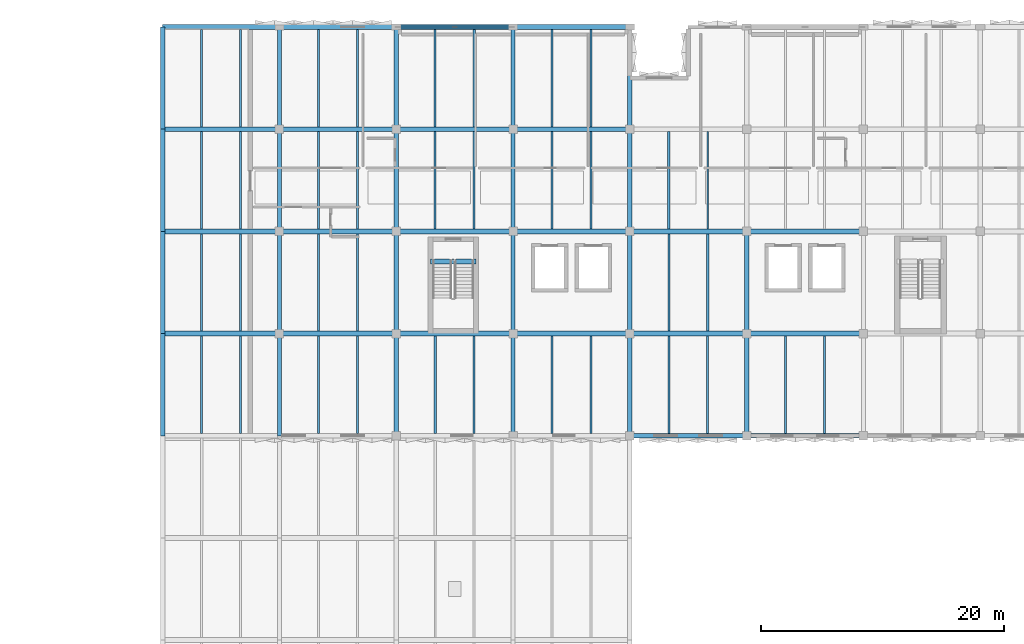
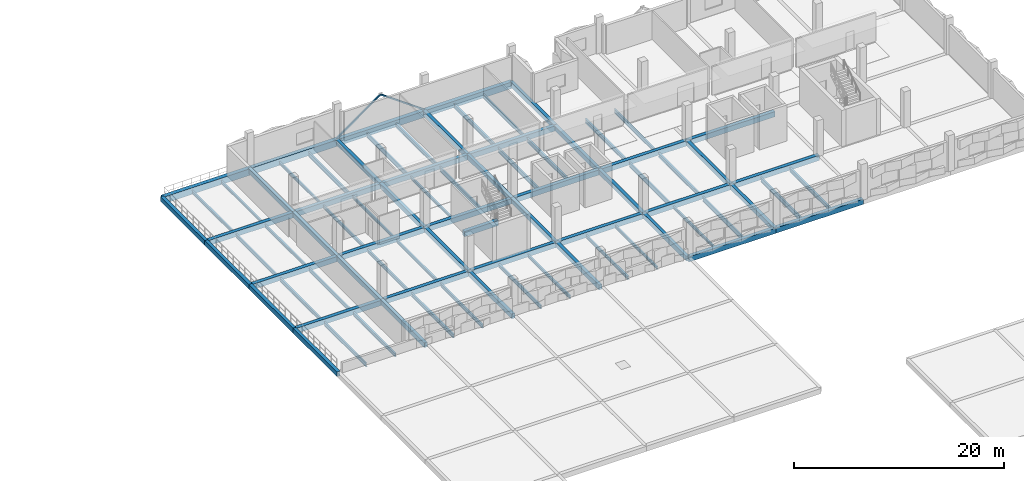
# One storey, part 6 of 24: 81 beams, 2 members.
"""IFC4 building model written with IfcOpenShell, lengths in metres."""

from ifc_helpers import new_model, si_unit, direction, frame, origin, origin_2d, place, context, subcontext, project, spatial, rectangle, hollow_rectangle, i_section, extrude, material, material_profile, profile_set, type_object, element, save


model = new_model("IFC4")

# Units and contexts
model_context = context("Model", 3, precision=1e-05, world=origin(), true_north=direction((0.0, 1.0)))
body_context = subcontext(model_context, "Body", "Model", "MODEL_VIEW")
ifc_project = project(units=[si_unit("LENGTHUNIT", "METRE"), si_unit("AREAUNIT", "SQUARE_METRE"), si_unit("VOLUMEUNIT", "CUBIC_METRE"), si_unit("PLANEANGLEUNIT", "RADIAN"), si_unit("MASSUNIT", "GRAM", prefix="KILO")], contexts=[model_context])

# Site, building, storey
site_placement = place(None, origin())
site = spatial("IfcSite", under=ifc_project, at=site_placement, CompositionType="ELEMENT")
building_placement = place(site_placement, origin())
building = spatial("IfcBuilding", under=site, at=building_placement, Name="Oolite Switchyard Hospital", CompositionType="ELEMENT")
storey_placement = place(building_placement, frame((0.0, 0.0, 22.0)))
storey = spatial("IfcBuildingStorey", under=building, at=storey_placement, Name="L05", CompositionType="ELEMENT", Elevation=22.0)

# Beams
ifc_material_1 = material(Name="Concrete C40/50", Category="concrete")
ifc_material_profile_1 = material_profile(ifc_material_1, rectangle(XDim=0.35009765625, YDim=0.550048828125, at=origin_2d()), Name="RCB350X550")
ifc_profile_set_1 = profile_set([ifc_material_profile_1], Name="Concrete C40/50")
beam_type_1 = type_object("IfcBeamType", Name="BM-RC350X550", PredefinedType="BEAM", material=ifc_profile_set_1)
beam_1_placement = place(storey_placement, frame((134.39990234375, 100.800048828125, -0.27490234375), z_axis=(0.0, 1.0, 0.0), x_axis=(-1.0, 0.0, 0.0)))
element("IfcBeam", 1, at=beam_1_placement, inside=storey, type_object=beam_type_1, Name="L05 Y-Girder 3479", PredefinedType="BEAM", context=body_context, shape_type="SweptSolid", body=[
    extrude(rectangle(XDim=0.35009765625, YDim=0.550048828125, at=origin_2d()), origin(), (0.0, 0.0, 1.0), 8.39990234375),
])
beam_2_placement = place(storey_placement, frame((134.39990234375, 109.199951171875, -0.27490234375), z_axis=(0.0, 1.0, 0.0), x_axis=(-1.0, 0.0, 0.0)))
element("IfcBeam", 2, at=beam_2_placement, inside=storey, type_object=beam_type_1, Name="L05 Y-Girder 3480", PredefinedType="BEAM", context=body_context, shape_type="SweptSolid", body=[
    extrude(rectangle(XDim=0.35009765625, YDim=0.550048828125, at=origin_2d()), origin(), (0.0, 0.0, 1.0), 8.400146484375),
])
for number, where, z_axis, x_axis, name in (
    (3, (134.39990234375, 117.60009765625, -0.27490234375), (0.0, 1.0, 0.0), (-1.0, 0.0, 0.0), "L05 Y-Girder 3481"),
    (4, (134.39990234375, 126.0, -0.27490234375), (0.0, 1.0, 0.0), (-1.0, 0.0, 0.0), "L05 Y-Girder 3482"),
    (5, (144.0, 100.800048828125, -0.27490234375), (0.0, 1.0, 0.0), (-1.0, 0.0, 0.0), "L05 Y-Girder 3494"),
):
    element("IfcBeam", number, at=place(storey_placement, frame(where, z_axis=z_axis, x_axis=x_axis)), inside=storey, type_object=beam_type_1, Name=name, PredefinedType="BEAM", context=body_context, shape_type="SweptSolid", body=[
        extrude(rectangle(XDim=0.35009765625, YDim=0.550048828125, at=origin_2d()), origin(), (0.0, 0.0, 1.0), 8.39990234375),
    ])
beam_3_placement = place(storey_placement, frame((144.0, 109.199951171875, -0.27490234375), z_axis=(0.0, 1.0, 0.0), x_axis=(-1.0, 0.0, 0.0)))
element("IfcBeam", 6, at=beam_3_placement, inside=storey, type_object=beam_type_1, Name="L05 Y-Girder 3495", PredefinedType="BEAM", context=body_context, shape_type="SweptSolid", body=[
    extrude(rectangle(XDim=0.35009765625, YDim=0.550048828125, at=origin_2d()), origin(), (0.0, 0.0, 1.0), 8.400146484375),
])
for number, where, z_axis, x_axis, name in (
    (7, (144.0, 117.60009765625, -0.27490234375), (0.0, 1.0, 0.0), (-1.0, 0.0, 0.0), "L05 Y-Girder 3496"),
    (8, (144.0, 126.0, -0.27490234375), (0.0, 1.0, 0.0), (-1.0, 0.0, 0.0), "L05 Y-Girder 3497"),
    (9, (153.60009765625, 100.800048828125, -0.27490234375), (0.0, 1.0, 0.0), (-1.0, 0.0, 0.0), "L05 Y-Girder 3503"),
):
    element("IfcBeam", number, at=place(storey_placement, frame(where, z_axis=z_axis, x_axis=x_axis)), inside=storey, type_object=beam_type_1, Name=name, PredefinedType="BEAM", context=body_context, shape_type="SweptSolid", body=[
        extrude(rectangle(XDim=0.35009765625, YDim=0.550048828125, at=origin_2d()), origin(), (0.0, 0.0, 1.0), 8.39990234375),
    ])
beam_4_placement = place(storey_placement, frame((153.60009765625, 109.199951171875, -0.27490234375), z_axis=(0.0, 1.0, 0.0), x_axis=(-1.0, 0.0, 0.0)))
element("IfcBeam", 10, at=beam_4_placement, inside=storey, type_object=beam_type_1, Name="L05 Y-Girder 3504", PredefinedType="BEAM", context=body_context, shape_type="SweptSolid", body=[
    extrude(rectangle(XDim=0.35009765625, YDim=0.550048828125, at=origin_2d()), origin(), (0.0, 0.0, 1.0), 8.400146484375),
])
for number, where, z_axis, x_axis, name in (
    (11, (153.60009765625, 117.60009765625, -0.27490234375), (0.0, 1.0, 0.0), (-1.0, 0.0, 0.0), "L05 Y-Girder 3505"),
    (12, (153.60009765625, 126.0, -0.27490234375), (0.0, 1.0, 0.0), (-1.0, 0.0, 0.0), "L05 Y-Girder 3506"),
    (13, (163.199951171875, 100.800048828125, -0.27490234375), (0.0, 1.0, 0.0), (-1.0, 0.0, 0.0), "L05 Y-Girder 3512"),
):
    element("IfcBeam", number, at=place(storey_placement, frame(where, z_axis=z_axis, x_axis=x_axis)), inside=storey, type_object=beam_type_1, Name=name, PredefinedType="BEAM", context=body_context, shape_type="SweptSolid", body=[
        extrude(rectangle(XDim=0.35009765625, YDim=0.550048828125, at=origin_2d()), origin(), (0.0, 0.0, 1.0), 8.39990234375),
    ])
beam_5_placement = place(storey_placement, frame((163.199951171875, 109.199951171875, -0.27490234375), z_axis=(0.0, 1.0, 0.0), x_axis=(-1.0, 0.0, 0.0)))
element("IfcBeam", 14, at=beam_5_placement, inside=storey, type_object=beam_type_1, Name="L05 Y-Girder 3513", PredefinedType="BEAM", context=body_context, shape_type="SweptSolid", body=[
    extrude(rectangle(XDim=0.35009765625, YDim=0.550048828125, at=origin_2d()), origin(), (0.0, 0.0, 1.0), 8.400146484375),
])
for number, where, z_axis, x_axis, name in (
    (15, (163.199951171875, 117.60009765625, -0.27490234375), (0.0, 1.0, 0.0), (-1.0, 0.0, 0.0), "L05 Y-Girder 3514"),
    (16, (163.199951171875, 126.0, -0.27490234375), (0.0, 1.0, 0.0), (-1.0, 0.0, 0.0), "L05 Y-Girder 3515"),
    (17, (172.800048828125, 100.800048828125, -0.27490234375), (0.0, 1.0, 0.0), (-1.0, 0.0, 0.0), "L05 Y-Girder 3521"),
):
    element("IfcBeam", number, at=place(storey_placement, frame(where, z_axis=z_axis, x_axis=x_axis)), inside=storey, type_object=beam_type_1, Name=name, PredefinedType="BEAM", context=body_context, shape_type="SweptSolid", body=[
        extrude(rectangle(XDim=0.35009765625, YDim=0.550048828125, at=origin_2d()), origin(), (0.0, 0.0, 1.0), 8.39990234375),
    ])
beam_6_placement = place(storey_placement, frame((172.800048828125, 109.199951171875, -0.27490234375), z_axis=(0.0, 1.0, 0.0), x_axis=(-1.0, 0.0, 0.0)))
element("IfcBeam", 18, at=beam_6_placement, inside=storey, type_object=beam_type_1, Name="L05 Y-Girder 3522", PredefinedType="BEAM", context=body_context, shape_type="SweptSolid", body=[
    extrude(rectangle(XDim=0.35009765625, YDim=0.550048828125, at=origin_2d()), origin(), (0.0, 0.0, 1.0), 8.400146484375),
])
for number, where, z_axis, x_axis, name in (
    (19, (172.800048828125, 117.60009765625, -0.27490234375), (0.0, 1.0, 0.0), (-1.0, 0.0, 0.0), "L05 Y-Girder 3523"),
    (20, (172.800048828125, 126.0, -0.27490234375), (0.0, 1.0, 0.0), (-1.0, 0.0, 0.0), "L05 Y-Girder 3524"),
    (21, (182.39990234375, 100.800048828125, -0.27490234375), (0.0, 1.0, 0.0), (-1.0, 0.0, 0.0), "L05 Y-Girder 3533"),
):
    element("IfcBeam", number, at=place(storey_placement, frame(where, z_axis=z_axis, x_axis=x_axis)), inside=storey, type_object=beam_type_1, Name=name, PredefinedType="BEAM", context=body_context, shape_type="SweptSolid", body=[
        extrude(rectangle(XDim=0.35009765625, YDim=0.550048828125, at=origin_2d()), origin(), (0.0, 0.0, 1.0), 8.39990234375),
    ])
beam_7_placement = place(storey_placement, frame((182.39990234375, 109.199951171875, -0.27490234375), z_axis=(0.0, 1.0, 0.0), x_axis=(-1.0, 0.0, 0.0)))
element("IfcBeam", 22, at=beam_7_placement, inside=storey, type_object=beam_type_1, Name="L05 Y-Girder 3534", PredefinedType="BEAM", context=body_context, shape_type="SweptSolid", body=[
    extrude(rectangle(XDim=0.35009765625, YDim=0.550048828125, at=origin_2d()), origin(), (0.0, 0.0, 1.0), 8.400146484375),
])
ifc_material_profile_2 = material_profile(ifc_material_1, rectangle(XDim=0.39990234375, YDim=0.60009765625, at=origin_2d()), Name="RCB400X600")
ifc_profile_set_2 = profile_set([ifc_material_profile_2], Name="Concrete C40/50")
beam_type_2 = type_object("IfcBeamType", Name="BM-RC400X600", PredefinedType="BEAM", material=ifc_profile_set_2)
beam_8_placement = place(storey_placement, frame((172.800048828125, 100.800048828125, -0.300048828125), z_axis=(1.0, 0.0, 0.0), x_axis=(0.0, 1.0, 0.0)))
element("IfcBeam", 23, at=beam_8_placement, inside=storey, type_object=beam_type_2, Name="L05 X-Girder 3411", PredefinedType="BEAM", context=body_context, shape_type="SweptSolid", body=[
    extrude(rectangle(XDim=0.39990234375, YDim=0.60009765625, at=origin_2d()), origin(), (0.0, 0.0, 1.0), 9.599853515625),
])
for number, where, z_axis, x_axis, name in (
    (24, (182.39990234375, 100.800048828125, -0.300048828125), (1.0, 0.0, 0.0), (0.0, 1.0, 0.0), "L05 X-Girder 3412"),
    (25, (134.39990234375, 109.199951171875, -0.300048828125), (1.0, 0.0, 0.0), (0.0, 1.0, 0.0), "L05 X-Girder 3415"),
    (26, (144.0, 109.199951171875, -0.300048828125), (1.0, 0.0, 0.0), (0.0, 1.0, 0.0), "L05 X-Girder 3416"),
):
    element("IfcBeam", number, at=place(storey_placement, frame(where, z_axis=z_axis, x_axis=x_axis)), inside=storey, type_object=beam_type_2, Name=name, PredefinedType="BEAM", context=body_context, shape_type="SweptSolid", body=[
        extrude(rectangle(XDim=0.39990234375, YDim=0.60009765625, at=origin_2d()), origin(), (0.0, 0.0, 1.0), 9.60009765625),
    ])
beam_9_placement = place(storey_placement, frame((153.60009765625, 109.199951171875, -0.300048828125), z_axis=(1.0, 0.0, 0.0), x_axis=(0.0, 1.0, 0.0)))
element("IfcBeam", 27, at=beam_9_placement, inside=storey, type_object=beam_type_2, Name="L05 X-Girder 3417", PredefinedType="BEAM", context=body_context, shape_type="SweptSolid", body=[
    extrude(rectangle(XDim=0.39990234375, YDim=0.60009765625, at=origin_2d()), origin(), (0.0, 0.0, 1.0), 9.599853515625),
])
beam_10_placement = place(storey_placement, frame((163.199951171875, 109.199951171875, -0.300048828125), z_axis=(1.0, 0.0, 0.0), x_axis=(0.0, 1.0, 0.0)))
element("IfcBeam", 28, at=beam_10_placement, inside=storey, type_object=beam_type_2, Name="L05 X-Girder 3418", PredefinedType="BEAM", context=body_context, shape_type="SweptSolid", body=[
    extrude(rectangle(XDim=0.39990234375, YDim=0.60009765625, at=origin_2d()), origin(), (0.0, 0.0, 1.0), 9.60009765625),
])
beam_11_placement = place(storey_placement, frame((172.800048828125, 109.199951171875, -0.300048828125), z_axis=(1.0, 0.0, 0.0), x_axis=(0.0, 1.0, 0.0)))
element("IfcBeam", 29, at=beam_11_placement, inside=storey, type_object=beam_type_2, Name="L05 X-Girder 3419", PredefinedType="BEAM", context=body_context, shape_type="SweptSolid", body=[
    extrude(rectangle(XDim=0.39990234375, YDim=0.60009765625, at=origin_2d()), origin(), (0.0, 0.0, 1.0), 9.599853515625),
])
for number, where, z_axis, x_axis, name in (
    (30, (182.39990234375, 109.199951171875, -0.300048828125), (1.0, 0.0, 0.0), (0.0, 1.0, 0.0), "L05 X-Girder 3420"),
    (31, (134.39990234375, 117.60009765625, -0.300048828125), (1.0, 0.0, 0.0), (0.0, 1.0, 0.0), "L05 X-Girder 3423"),
    (32, (144.0, 117.60009765625, -0.300048828125), (1.0, 0.0, 0.0), (0.0, 1.0, 0.0), "L05 X-Girder 3424"),
):
    element("IfcBeam", number, at=place(storey_placement, frame(where, z_axis=z_axis, x_axis=x_axis)), inside=storey, type_object=beam_type_2, Name=name, PredefinedType="BEAM", context=body_context, shape_type="SweptSolid", body=[
        extrude(rectangle(XDim=0.39990234375, YDim=0.60009765625, at=origin_2d()), origin(), (0.0, 0.0, 1.0), 9.60009765625),
    ])
beam_12_placement = place(storey_placement, frame((153.60009765625, 117.60009765625, -0.300048828125), z_axis=(1.0, 0.0, 0.0), x_axis=(0.0, 1.0, 0.0)))
element("IfcBeam", 33, at=beam_12_placement, inside=storey, type_object=beam_type_2, Name="L05 X-Girder 3425", PredefinedType="BEAM", context=body_context, shape_type="SweptSolid", body=[
    extrude(rectangle(XDim=0.39990234375, YDim=0.60009765625, at=origin_2d()), origin(), (0.0, 0.0, 1.0), 9.599853515625),
])
beam_13_placement = place(storey_placement, frame((163.199951171875, 117.60009765625, -0.300048828125), z_axis=(1.0, 0.0, 0.0), x_axis=(0.0, 1.0, 0.0)))
element("IfcBeam", 34, at=beam_13_placement, inside=storey, type_object=beam_type_2, Name="L05 X-Girder 3426", PredefinedType="BEAM", context=body_context, shape_type="SweptSolid", body=[
    extrude(rectangle(XDim=0.39990234375, YDim=0.60009765625, at=origin_2d()), origin(), (0.0, 0.0, 1.0), 9.60009765625),
])
beam_14_placement = place(storey_placement, frame((172.800048828125, 117.60009765625, -0.300048828125), z_axis=(1.0, 0.0, 0.0), x_axis=(0.0, 1.0, 0.0)))
element("IfcBeam", 35, at=beam_14_placement, inside=storey, type_object=beam_type_2, Name="L05 X-Girder 3427", PredefinedType="BEAM", context=body_context, shape_type="SweptSolid", body=[
    extrude(rectangle(XDim=0.39990234375, YDim=0.60009765625, at=origin_2d()), origin(), (0.0, 0.0, 1.0), 9.599853515625),
])
for number, where, z_axis, x_axis, name in (
    (36, (182.39990234375, 117.60009765625, -0.300048828125), (1.0, 0.0, 0.0), (0.0, 1.0, 0.0), "L05 X-Girder 3428"),
    (37, (134.39990234375, 126.0, -0.300048828125), (1.0, 0.0, 0.0), (0.0, 1.0, 0.0), "L05 X-Girder 3431"),
    (38, (144.0, 126.0, -0.300048828125), (1.0, 0.0, 0.0), (0.0, 1.0, 0.0), "L05 X-Girder 3432"),
):
    element("IfcBeam", number, at=place(storey_placement, frame(where, z_axis=z_axis, x_axis=x_axis)), inside=storey, type_object=beam_type_2, Name=name, PredefinedType="BEAM", context=body_context, shape_type="SweptSolid", body=[
        extrude(rectangle(XDim=0.39990234375, YDim=0.60009765625, at=origin_2d()), origin(), (0.0, 0.0, 1.0), 9.60009765625),
    ])
beam_15_placement = place(storey_placement, frame((153.60009765625, 126.0, -0.300048828125), z_axis=(1.0, 0.0, 0.0), x_axis=(0.0, 1.0, 0.0)))
element("IfcBeam", 39, at=beam_15_placement, inside=storey, type_object=beam_type_2, Name="L05 X-Girder 3433", PredefinedType="BEAM", context=body_context, shape_type="SweptSolid", body=[
    extrude(rectangle(XDim=0.39990234375, YDim=0.60009765625, at=origin_2d()), origin(), (0.0, 0.0, 1.0), 9.599853515625),
])
beam_16_placement = place(storey_placement, frame((163.199951171875, 126.0, -0.300048828125), z_axis=(1.0, 0.0, 0.0), x_axis=(0.0, 1.0, 0.0)))
element("IfcBeam", 40, at=beam_16_placement, inside=storey, type_object=beam_type_2, Name="L05 X-Girder 3434", PredefinedType="BEAM", context=body_context, shape_type="SweptSolid", body=[
    extrude(rectangle(XDim=0.39990234375, YDim=0.60009765625, at=origin_2d()), origin(), (0.0, 0.0, 1.0), 9.60009765625),
])
beam_17_placement = place(storey_placement, frame((156.39990234375, 115.110107421875, -0.300048828125), z_axis=(1.0, 0.0, 0.0), x_axis=(0.0, 1.0, 0.0)))
element("IfcBeam", 41, at=beam_17_placement, inside=storey, type_object=beam_type_2, Name="L05 ST-03 Stair Throat Trimmer Beam", PredefinedType="BEAM", context=body_context, shape_type="SweptSolid", body=[
    extrude(rectangle(XDim=0.39990234375, YDim=0.60009765625, at=origin_2d()), origin(), (0.0, 0.0, 1.0), 3.760009765625),
])
ifc_material_profile_3 = material_profile(ifc_material_1, rectangle(XDim=0.449951171875, YDim=0.75, at=origin_2d()), Name="RCB450X750")
ifc_profile_set_3 = profile_set([ifc_material_profile_3], Name="Concrete C40/50")
beam_type_3 = type_object("IfcBeamType", Name="BM-RC450X750", PredefinedType="BEAM", material=ifc_profile_set_3)
for number, where, z_axis, x_axis, name in (
    (42, (134.39990234375, 134.39990234375, -0.375), (1.0, 0.0, 0.0), (0.0, 1.0, 0.0), "L05 X-Girder 3439"),
    (43, (144.0, 134.39990234375, -0.375), (1.0, 0.0, 0.0), (0.0, 1.0, 0.0), "L05 X-Girder 3440"),
):
    element("IfcBeam", number, at=place(storey_placement, frame(where, z_axis=z_axis, x_axis=x_axis)), inside=storey, type_object=beam_type_3, Name=name, PredefinedType="BEAM", context=body_context, shape_type="SweptSolid", body=[
        extrude(rectangle(XDim=0.449951171875, YDim=0.75, at=origin_2d()), origin(), (0.0, 0.0, 1.0), 9.60009765625),
    ])
beam_18_placement = place(storey_placement, frame((153.60009765625, 134.39990234375, -0.375), z_axis=(1.0, 0.0, 0.0), x_axis=(0.0, 1.0, 0.0)))
element("IfcBeam", 44, at=beam_18_placement, inside=storey, type_object=beam_type_3, Name="L05 X-Girder 3441", PredefinedType="BEAM", context=body_context, shape_type="SweptSolid", body=[
    extrude(rectangle(XDim=0.449951171875, YDim=0.75, at=origin_2d()), origin(), (0.0, 0.0, 1.0), 9.599853515625),
])
beam_19_placement = place(storey_placement, frame((163.199951171875, 134.39990234375, -0.375), z_axis=(1.0, 0.0, 0.0), x_axis=(0.0, 1.0, 0.0)))
element("IfcBeam", 45, at=beam_19_placement, inside=storey, type_object=beam_type_3, Name="L05 X-Girder 3442", PredefinedType="BEAM", context=body_context, shape_type="SweptSolid", body=[
    extrude(rectangle(XDim=0.449951171875, YDim=0.75, at=origin_2d()), origin(), (0.0, 0.0, 1.0), 9.60009765625),
])
ifc_material_2 = material(Name="Steel ASTM A992 Grade 50", Category="steel")
ifc_material_profile_4 = material_profile(ifc_material_2, i_section(OverallWidth=0.1650390625, OverallDepth=0.31005859375, WebThickness=0.006103515625, FlangeThickness=0.010009765625, at=origin_2d()), Name="W12X26")
ifc_profile_set_4 = profile_set([ifc_material_profile_4], Name="Steel ASTM A992 Grade 50")
beam_type_4 = type_object("IfcBeamType", Name="BM-W12X26", PredefinedType="JOIST", material=ifc_profile_set_4)
beam_20_placement = place(storey_placement, frame((140.800048828125, 126.199951171875, -0.419921875), z_axis=(0.0, 1.0, 0.0), x_axis=(-1.0, 0.0, 0.0)))
element("IfcBeam", 46, at=beam_20_placement, inside=storey, type_object=beam_type_4, Name="L05 Secondary Steel Joist 3626", PredefinedType="JOIST", context=body_context, shape_type="SweptSolid", body=[
    extrude(i_section(OverallWidth=0.1650390625, OverallDepth=0.31005859375, WebThickness=0.006103515625, FlangeThickness=0.010009765625, at=origin_2d()), origin(), (0.0, 0.0, 1.0), 7.97509765625),
])
beam_21_placement = place(storey_placement, frame((150.39990234375, 117.800048828125, -0.429931640625), z_axis=(0.0, 1.0, 0.0), x_axis=(-1.0, 0.0, 0.0)))
element("IfcBeam", 47, at=beam_21_placement, inside=storey, type_object=beam_type_4, Name="L05 Secondary Steel Joist 3640", PredefinedType="JOIST", context=body_context, shape_type="SweptSolid", body=[
    extrude(i_section(OverallWidth=0.1650390625, OverallDepth=0.31005859375, WebThickness=0.006103515625, FlangeThickness=0.010009765625, at=origin_2d()), origin(), (0.0, 0.0, 1.0), 8.0),
])
beam_22_placement = place(storey_placement, frame((147.199951171875, 126.199951171875, -0.429931640625), z_axis=(0.0, 1.0, 0.0), x_axis=(-1.0, 0.0, 0.0)))
element("IfcBeam", 48, at=beam_22_placement, inside=storey, type_object=beam_type_4, Name="L05 Secondary Steel Joist 3641", PredefinedType="JOIST", context=body_context, shape_type="SweptSolid", body=[
    extrude(i_section(OverallWidth=0.1650390625, OverallDepth=0.31005859375, WebThickness=0.006103515625, FlangeThickness=0.010009765625, at=origin_2d()), origin(), (0.0, 0.0, 1.0), 7.97509765625),
])
for number, where, z_axis, x_axis, name in (
    (49, (156.800048828125, 117.800048828125, -0.429931640625), (0.0, 1.0, 0.0), (-1.0, 0.0, 0.0), "L05 Secondary Steel Joist 3655"),
    (50, (169.60009765625, 101.0, -0.429931640625), (0.0, 1.0, 0.0), (-1.0, 0.0, 0.0), "L05 Secondary Steel Joist 3670"),
    (51, (176.0, 101.0, -0.429931640625), (0.0, 1.0, 0.0), (-1.0, 0.0, 0.0), "L05 Secondary Steel Joist 3679"),
):
    element("IfcBeam", number, at=place(storey_placement, frame(where, z_axis=z_axis, x_axis=x_axis)), inside=storey, type_object=beam_type_4, Name=name, PredefinedType="JOIST", context=body_context, shape_type="SweptSolid", body=[
        extrude(i_section(OverallWidth=0.1650390625, OverallDepth=0.31005859375, WebThickness=0.006103515625, FlangeThickness=0.010009765625, at=origin_2d()), origin(), (0.0, 0.0, 1.0), 8.0),
    ])
ifc_material_profile_5 = material_profile(ifc_material_2, i_section(OverallWidth=0.1708984375, OverallDepth=0.35107421875, WebThickness=0.007080078125, FlangeThickness=0.010009765625, at=origin_2d()), Name="W14X30")
ifc_profile_set_5 = profile_set([ifc_material_profile_5], Name="Steel ASTM A992 Grade 50")
beam_type_5 = type_object("IfcBeamType", Name="BM-W14X30", PredefinedType="JOIST", material=ifc_profile_set_5)
beam_23_placement = place(storey_placement, frame((140.800048828125, 117.800048828125, -0.43994140625), z_axis=(0.0, 1.0, 0.0), x_axis=(-1.0, 0.0, 0.0)))
element("IfcBeam", 52, at=beam_23_placement, inside=storey, type_object=beam_type_5, Name="L05 Secondary Steel Joist 3624", PredefinedType="JOIST", context=body_context, shape_type="SweptSolid", body=[
    extrude(i_section(OverallWidth=0.1708984375, OverallDepth=0.35107421875, WebThickness=0.007080078125, FlangeThickness=0.010009765625, at=origin_2d()), origin(), (0.0, 0.0, 1.0), 8.0),
])
beam_24_placement = place(storey_placement, frame((137.60009765625, 126.199951171875, -0.43994140625), z_axis=(0.0, 1.0, 0.0), x_axis=(-1.0, 0.0, 0.0)))
element("IfcBeam", 53, at=beam_24_placement, inside=storey, type_object=beam_type_5, Name="L05 Secondary Steel Joist 3625", PredefinedType="JOIST", context=body_context, shape_type="SweptSolid", body=[
    extrude(i_section(OverallWidth=0.1708984375, OverallDepth=0.35107421875, WebThickness=0.007080078125, FlangeThickness=0.010009765625, at=origin_2d()), origin(), (0.0, 0.0, 1.0), 7.97509765625),
])
for number, where, z_axis, x_axis, name in (
    (54, (150.39990234375, 109.39990234375, -0.449951171875), (0.0, 1.0, 0.0), (-1.0, 0.0, 0.0), "L05 Secondary Steel Joist 3638"),
    (55, (147.199951171875, 117.800048828125, -0.449951171875), (0.0, 1.0, 0.0), (-1.0, 0.0, 0.0), "L05 Secondary Steel Joist 3639"),
    (56, (160.0, 101.0, -0.449951171875), (0.0, 1.0, 0.0), (-1.0, 0.0, 0.0), "L05 Secondary Steel Joist 3654"),
    (57, (166.39990234375, 101.0, -0.449951171875), (0.0, 1.0, 0.0), (-1.0, 0.0, 0.0), "L05 Secondary Steel Joist 3669"),
):
    element("IfcBeam", number, at=place(storey_placement, frame(where, z_axis=z_axis, x_axis=x_axis)), inside=storey, type_object=beam_type_5, Name=name, PredefinedType="JOIST", context=body_context, shape_type="SweptSolid", body=[
        extrude(i_section(OverallWidth=0.1708984375, OverallDepth=0.35107421875, WebThickness=0.007080078125, FlangeThickness=0.010009765625, at=origin_2d()), origin(), (0.0, 0.0, 1.0), 8.0),
    ])
ifc_material_profile_6 = material_profile(ifc_material_2, i_section(OverallWidth=0.177978515625, OverallDepth=0.403076171875, WebThickness=0.008056640625, FlangeThickness=0.010986328125, at=origin_2d()), Name="W16X36")
ifc_profile_set_6 = profile_set([ifc_material_profile_6], Name="Steel ASTM A992 Grade 50")
beam_type_6 = type_object("IfcBeamType", Name="BM-W16X36", PredefinedType="JOIST", material=ifc_profile_set_6)
for number, where, z_axis, x_axis, name in (
    (58, (140.800048828125, 109.39990234375, -0.466064453125), (0.0, 1.0, 0.0), (-1.0, 0.0, 0.0), "L05 Secondary Steel Joist 3622"),
    (59, (137.60009765625, 117.800048828125, -0.466064453125), (0.0, 1.0, 0.0), (-1.0, 0.0, 0.0), "L05 Secondary Steel Joist 3623"),
    (60, (150.39990234375, 101.0, -0.47607421875), (0.0, 1.0, 0.0), (-1.0, 0.0, 0.0), "L05 Secondary Steel Joist 3636"),
    (61, (147.199951171875, 109.39990234375, -0.47607421875), (0.0, 1.0, 0.0), (-1.0, 0.0, 0.0), "L05 Secondary Steel Joist 3637"),
    (62, (156.800048828125, 101.0, -0.47607421875), (0.0, 1.0, 0.0), (-1.0, 0.0, 0.0), "L05 Secondary Steel Joist 3653"),
):
    element("IfcBeam", number, at=place(storey_placement, frame(where, z_axis=z_axis, x_axis=x_axis)), inside=storey, type_object=beam_type_6, Name=name, PredefinedType="JOIST", context=body_context, shape_type="SweptSolid", body=[
        extrude(i_section(OverallWidth=0.177978515625, OverallDepth=0.403076171875, WebThickness=0.008056640625, FlangeThickness=0.010986328125, at=origin_2d()), origin(), (0.0, 0.0, 1.0), 8.0),
    ])
ifc_material_profile_7 = material_profile(ifc_material_2, i_section(OverallWidth=0.179931640625, OverallDepth=0.4130859375, WebThickness=0.010009765625, FlangeThickness=0.01611328125, at=origin_2d()), Name="W16X50")
ifc_profile_set_7 = profile_set([ifc_material_profile_7], Name="Steel ASTM A992 Grade 50")
beam_type_7 = type_object("IfcBeamType", Name="BM-W16X50", PredefinedType="JOIST", material=ifc_profile_set_7)
for number, where, z_axis, x_axis, name in (
    (63, (140.800048828125, 101.0, -0.471923828125), (0.0, 1.0, 0.0), (-1.0, 0.0, 0.0), "L05 Secondary Steel Joist 3620"),
    (64, (137.60009765625, 109.39990234375, -0.471923828125), (0.0, 1.0, 0.0), (-1.0, 0.0, 0.0), "L05 Secondary Steel Joist 3621"),
    (65, (147.199951171875, 101.0, -0.48095703125), (0.0, 1.0, 0.0), (-1.0, 0.0, 0.0), "L05 Secondary Steel Joist 3635"),
):
    element("IfcBeam", number, at=place(storey_placement, frame(where, z_axis=z_axis, x_axis=x_axis)), inside=storey, type_object=beam_type_7, Name=name, PredefinedType="JOIST", context=body_context, shape_type="SweptSolid", body=[
        extrude(i_section(OverallWidth=0.179931640625, OverallDepth=0.4130859375, WebThickness=0.010009765625, FlangeThickness=0.01611328125, at=origin_2d()), origin(), (0.0, 0.0, 1.0), 8.0),
    ])
ifc_material_profile_8 = material_profile(ifc_material_2, i_section(OverallWidth=0.153076171875, OverallDepth=0.455078125, WebThickness=0.008056640625, FlangeThickness=0.012939453125, at=origin_2d()), Name="W18X40")
ifc_profile_set_8 = profile_set([ifc_material_profile_8], Name="Steel ASTM A992 Grade 50")
beam_type_8 = type_object("IfcBeamType", Name="BM-W18X40", PredefinedType="JOIST", material=ifc_profile_set_8)
beam_25_placement = place(storey_placement, frame((137.60009765625, 101.0, -0.491943359375), z_axis=(0.0, 1.0, 0.0), x_axis=(-1.0, 0.0, 0.0)))
element("IfcBeam", 66, at=beam_25_placement, inside=storey, type_object=beam_type_8, Name="L05 Secondary Steel Joist 3619", PredefinedType="JOIST", context=body_context, shape_type="SweptSolid", body=[
    extrude(i_section(OverallWidth=0.153076171875, OverallDepth=0.455078125, WebThickness=0.008056640625, FlangeThickness=0.012939453125, at=origin_2d()), origin(), (0.0, 0.0, 1.0), 8.0),
])
beam_26_placement = place(storey_placement, frame((169.60009765625, 126.199951171875, -0.501953125), z_axis=(0.0, 1.0, 0.0), x_axis=(-1.0, 0.0, 0.0)))
element("IfcBeam", 67, at=beam_26_placement, inside=storey, type_object=beam_type_8, Name="L05 Secondary Steel Joist 3674", PredefinedType="JOIST", context=body_context, shape_type="SweptSolid", body=[
    extrude(i_section(OverallWidth=0.153076171875, OverallDepth=0.455078125, WebThickness=0.008056640625, FlangeThickness=0.012939453125, at=origin_2d()), origin(), (0.0, 0.0, 1.0), 7.97509765625),
])
beam_27_placement = place(storey_placement, frame((179.199951171875, 117.800048828125, -0.501953125), z_axis=(0.0, 1.0, 0.0), x_axis=(-1.0, 0.0, 0.0)))
element("IfcBeam", 68, at=beam_27_placement, inside=storey, type_object=beam_type_8, Name="L05 Secondary Steel Joist 3684", PredefinedType="JOIST", context=body_context, shape_type="SweptSolid", body=[
    extrude(i_section(OverallWidth=0.153076171875, OverallDepth=0.455078125, WebThickness=0.008056640625, FlangeThickness=0.012939453125, at=origin_2d()), origin(), (0.0, 0.0, 1.0), 8.0),
])
ifc_material_profile_9 = material_profile(ifc_material_2, i_section(OverallWidth=0.19091796875, OverallDepth=0.4599609375, WebThickness=0.010009765625, FlangeThickness=0.01611328125, at=origin_2d()), Name="W18X55")
ifc_profile_set_9 = profile_set([ifc_material_profile_9], Name="Steel ASTM A992 Grade 50")
beam_type_9 = type_object("IfcBeamType", Name="BM-W18X55", PredefinedType="JOIST", material=ifc_profile_set_9)
beam_28_placement = place(storey_placement, frame((160.0, 126.199951171875, -0.5048828125), z_axis=(0.0, 1.0, 0.0), x_axis=(-1.0, 0.0, 0.0)))
element("IfcBeam", 69, at=beam_28_placement, inside=storey, type_object=beam_type_9, Name="L05 Secondary Steel Joist 3658", PredefinedType="JOIST", context=body_context, shape_type="SweptSolid", body=[
    extrude(i_section(OverallWidth=0.19091796875, OverallDepth=0.4599609375, WebThickness=0.010009765625, FlangeThickness=0.01611328125, at=origin_2d()), origin(), (0.0, 0.0, 1.0), 7.97509765625),
])
beam_29_placement = place(storey_placement, frame((169.60009765625, 117.800048828125, -0.5048828125), z_axis=(0.0, 1.0, 0.0), x_axis=(-1.0, 0.0, 0.0)))
element("IfcBeam", 70, at=beam_29_placement, inside=storey, type_object=beam_type_9, Name="L05 Secondary Steel Joist 3672", PredefinedType="JOIST", context=body_context, shape_type="SweptSolid", body=[
    extrude(i_section(OverallWidth=0.19091796875, OverallDepth=0.4599609375, WebThickness=0.010009765625, FlangeThickness=0.01611328125, at=origin_2d()), origin(), (0.0, 0.0, 1.0), 8.0),
])
beam_30_placement = place(storey_placement, frame((166.39990234375, 126.199951171875, -0.5048828125), z_axis=(0.0, 1.0, 0.0), x_axis=(-1.0, 0.0, 0.0)))
element("IfcBeam", 71, at=beam_30_placement, inside=storey, type_object=beam_type_9, Name="L05 Secondary Steel Joist 3673", PredefinedType="JOIST", context=body_context, shape_type="SweptSolid", body=[
    extrude(i_section(OverallWidth=0.19091796875, OverallDepth=0.4599609375, WebThickness=0.010009765625, FlangeThickness=0.01611328125, at=origin_2d()), origin(), (0.0, 0.0, 1.0), 7.97509765625),
])
for number, where, z_axis, x_axis, name in (
    (72, (179.199951171875, 109.39990234375, -0.5048828125), (0.0, 1.0, 0.0), (-1.0, 0.0, 0.0), "L05 Secondary Steel Joist 3682"),
    (73, (176.0, 117.800048828125, -0.5048828125), (0.0, 1.0, 0.0), (-1.0, 0.0, 0.0), "L05 Secondary Steel Joist 3683"),
    (74, (188.800048828125, 101.0, -0.5048828125), (0.0, 1.0, 0.0), (-1.0, 0.0, 0.0), "L05 Secondary Steel Joist 3702"),
):
    element("IfcBeam", number, at=place(storey_placement, frame(where, z_axis=z_axis, x_axis=x_axis)), inside=storey, type_object=beam_type_9, Name=name, PredefinedType="JOIST", context=body_context, shape_type="SweptSolid", body=[
        extrude(i_section(OverallWidth=0.19091796875, OverallDepth=0.4599609375, WebThickness=0.010009765625, FlangeThickness=0.01611328125, at=origin_2d()), origin(), (0.0, 0.0, 1.0), 8.0),
    ])
ifc_material_profile_10 = material_profile(ifc_material_2, i_section(OverallWidth=0.166015625, OverallDepth=0.529052734375, WebThickness=0.010009765625, FlangeThickness=0.013916015625, at=origin_2d()), Name="W21X50")
ifc_profile_set_10 = profile_set([ifc_material_profile_10], Name="Steel ASTM A992 Grade 50")
beam_type_10 = type_object("IfcBeamType", Name="BM-W21X50", PredefinedType="JOIST", material=ifc_profile_set_10)
beam_31_placement = place(storey_placement, frame((150.39990234375, 126.199951171875, -0.5400390625), z_axis=(0.0, 1.0, 0.0), x_axis=(-1.0, 0.0, 0.0)))
element("IfcBeam", 75, at=beam_31_placement, inside=storey, type_object=beam_type_10, Name="L05 Secondary Steel Joist 3642", PredefinedType="JOIST", context=body_context, shape_type="SweptSolid", body=[
    extrude(i_section(OverallWidth=0.166015625, OverallDepth=0.529052734375, WebThickness=0.010009765625, FlangeThickness=0.013916015625, at=origin_2d()), origin(), (0.0, 0.0, 1.0), 7.97509765625),
])
beam_32_placement = place(storey_placement, frame((160.0, 117.800048828125, -0.5400390625), z_axis=(0.0, 1.0, 0.0), x_axis=(-1.0, 0.0, 0.0)))
element("IfcBeam", 76, at=beam_32_placement, inside=storey, type_object=beam_type_10, Name="L05 Secondary Steel Joist 3656", PredefinedType="JOIST", context=body_context, shape_type="SweptSolid", body=[
    extrude(i_section(OverallWidth=0.166015625, OverallDepth=0.529052734375, WebThickness=0.010009765625, FlangeThickness=0.013916015625, at=origin_2d()), origin(), (0.0, 0.0, 1.0), 8.0),
])
beam_33_placement = place(storey_placement, frame((156.800048828125, 126.199951171875, -0.5400390625), z_axis=(0.0, 1.0, 0.0), x_axis=(-1.0, 0.0, 0.0)))
element("IfcBeam", 77, at=beam_33_placement, inside=storey, type_object=beam_type_10, Name="L05 Secondary Steel Joist 3657", PredefinedType="JOIST", context=body_context, shape_type="SweptSolid", body=[
    extrude(i_section(OverallWidth=0.166015625, OverallDepth=0.529052734375, WebThickness=0.010009765625, FlangeThickness=0.013916015625, at=origin_2d()), origin(), (0.0, 0.0, 1.0), 7.97509765625),
])
for number, where, z_axis, x_axis, name in (
    (78, (166.39990234375, 117.800048828125, -0.5400390625), (0.0, 1.0, 0.0), (-1.0, 0.0, 0.0), "L05 Secondary Steel Joist 3671"),
    (79, (179.199951171875, 101.0, -0.5400390625), (0.0, 1.0, 0.0), (-1.0, 0.0, 0.0), "L05 Secondary Steel Joist 3680"),
    (80, (176.0, 109.39990234375, -0.5400390625), (0.0, 1.0, 0.0), (-1.0, 0.0, 0.0), "L05 Secondary Steel Joist 3681"),
    (81, (185.60009765625, 101.0, -0.5400390625), (0.0, 1.0, 0.0), (-1.0, 0.0, 0.0), "L05 Secondary Steel Joist 3701"),
):
    element("IfcBeam", number, at=place(storey_placement, frame(where, z_axis=z_axis, x_axis=x_axis)), inside=storey, type_object=beam_type_10, Name=name, PredefinedType="JOIST", context=body_context, shape_type="SweptSolid", body=[
        extrude(i_section(OverallWidth=0.166015625, OverallDepth=0.529052734375, WebThickness=0.010009765625, FlangeThickness=0.013916015625, at=origin_2d()), origin(), (0.0, 0.0, 1.0), 8.0),
    ])

# Members
ifc_material_3 = material(Name="Steel ASTM A500 Grade C", Category="steel")
ifc_material_profile_11 = material_profile(ifc_material_3, hollow_rectangle(XDim=0.152099609375, YDim=0.152099609375, WallThickness=0.010009765625, at=origin_2d()), Name="HSS152X152X10")
ifc_profile_set_11 = profile_set([ifc_material_profile_11], Name="Steel ASTM A500 Grade C")
member_type = type_object("IfcMemberType", Name="MEM-BR-HSS152", PredefinedType="BRACE", material=ifc_profile_set_11)
member_1_placement = place(storey_placement, frame((153.60009765625, 134.39990234375, 0.02001953125), z_axis=(0.81361321594, 0.0, 0.58140651428), x_axis=(0.0, 1.0, 0.0)))
element("IfcMember", 82, at=member_1_placement, inside=storey, type_object=member_type, Name="L05 Chevron Brace 39", PredefinedType="BRACE", context=body_context, shape_type="SweptSolid", body=[
    extrude(hollow_rectangle(XDim=0.152099609375, YDim=0.152099609375, WallThickness=0.010009765625, at=origin_2d()), origin(), (0.0, 0.0, 1.0), 5.8994140625),
])
member_2_placement = place(storey_placement, frame((163.199951171875, 134.39990234375, 0.02001953125), z_axis=(-0.813627204479, 0.0, 0.581386938392), x_axis=(0.0, -1.0, 0.0)))
element("IfcMember", 83, at=member_2_placement, inside=storey, type_object=member_type, Name="L05 Chevron Brace 40", PredefinedType="BRACE", context=body_context, shape_type="SweptSolid", body=[
    extrude(hollow_rectangle(XDim=0.152099609375, YDim=0.152099609375, WallThickness=0.010009765625, at=origin_2d()), origin(), (0.0, 0.0, 1.0), 5.899658203125),
])

save(model, "model.ifc")
